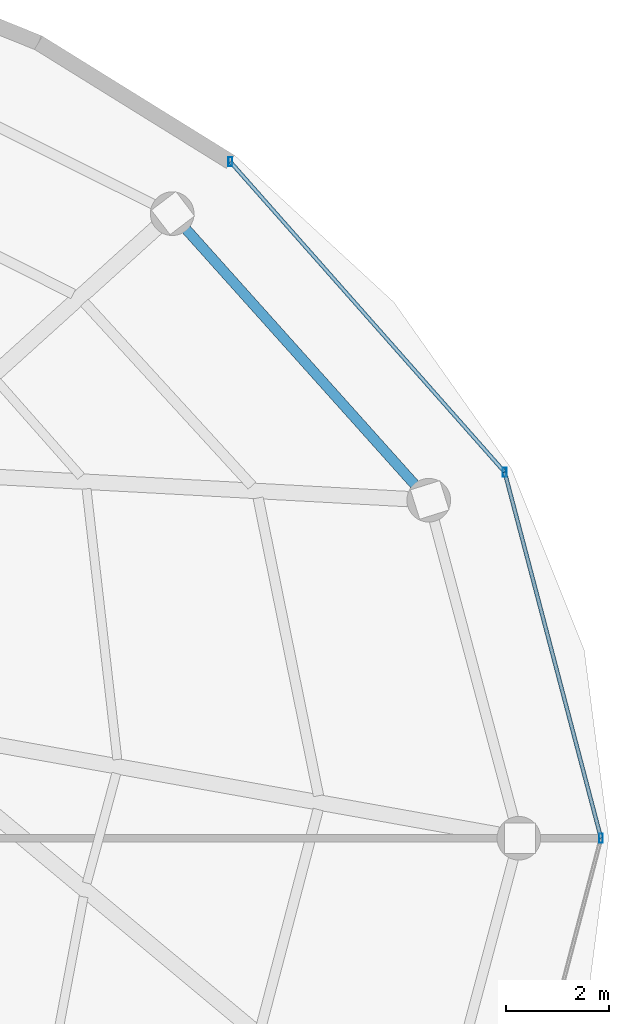
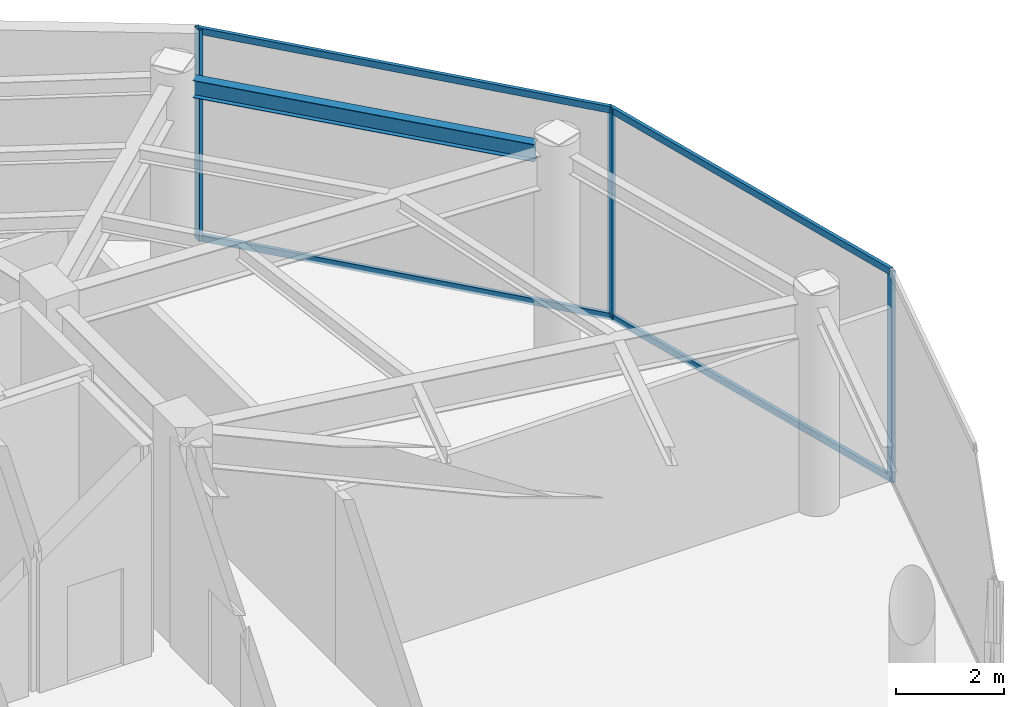
# One storey, part 15 of 24: 7 members, 1 beam, 1 element without a shape of its own.
"""IFC4 building model written with IfcOpenShell, lengths in metres."""

from ifc_helpers import new_model, si_unit, direction, frame, origin, origin_2d, place, context, subcontext, project, spatial, hollow_rectangle, i_section, extrude, material, material_profile, profile_set, type_object, element, aggregate, save


model = new_model("IFC4")

# Units and contexts
model_context = context("Model", 3, precision=1e-05, world=origin(), true_north=direction((0.0, 1.0)))
body_context = subcontext(model_context, "Body", "Model", "MODEL_VIEW")
ifc_project = project(units=[si_unit("LENGTHUNIT", "METRE"), si_unit("AREAUNIT", "SQUARE_METRE"), si_unit("VOLUMEUNIT", "CUBIC_METRE"), si_unit("PLANEANGLEUNIT", "RADIAN"), si_unit("MASSUNIT", "GRAM", prefix="KILO")], contexts=[model_context])

# Site, building, storey
site_placement = place(None, origin())
site = spatial("IfcSite", under=ifc_project, at=site_placement, CompositionType="ELEMENT")
building_placement = place(site_placement, origin())
building = spatial("IfcBuilding", under=site, at=building_placement, Name="Vorneva Point Tower", CompositionType="ELEMENT")
storey_placement = place(building_placement, frame((0.0, 0.0, 290.39990234375)))
storey = spatial("IfcBuildingStorey", under=building, at=storey_placement, Name="L78", CompositionType="ELEMENT", Elevation=290.39990234375)

# Beam
ifc_material_1 = material(Name="Steel S355", Category="steel")
ifc_material_profile_1 = material_profile(ifc_material_1, i_section(OverallWidth=0.198974609375, OverallDepth=0.39599609375, WebThickness=0.007080078125, FlangeThickness=0.010986328125, at=origin_2d()), Name="40B1")
ifc_profile_set_1 = profile_set([ifc_material_profile_1], Name="Steel S355")
beam_type = type_object("IfcBeamType", Name="BM-SPN-40B1", PredefinedType="SPANDREL", material=ifc_profile_set_1)
beam_placement = place(storey_placement, frame((59.02197265625, 32.8876953125, 4.522216796875), z_axis=(-0.667108282638, 0.744960763554, 0.0), x_axis=(-0.744960763554, -0.667108282638, 0.0)))
element("IfcBeam", 1, at=beam_placement, inside=storey, type_object=beam_type, Name="L78 Perimeter Spandrel Ring Beam 02", PredefinedType="SPANDREL", context=body_context, shape_type="SweptSolid", body=[
    extrude(i_section(OverallWidth=0.198974609375, OverallDepth=0.39599609375, WebThickness=0.007080078125, FlangeThickness=0.010986328125, at=origin_2d()), origin(), (0.0, 0.0, 1.0), 6.670166015625),
])

# Curtain wall, members
ifc_material_2 = material(Name="Pale anodised aluminium", Category="aluminium")
curtain_wall_type = type_object("IfcCurtainWallType", Name="CW-OBS-SYS", PredefinedType="NOTDEFINED", material=ifc_material_2)
curtain_wall_placement = place(storey_placement, origin())
curtain_wall = element("IfcCurtainWall", 2, at=curtain_wall_placement, inside=storey, type_object=curtain_wall_type, Name="L78 Unitised Curtain Wall CW-L78-R01", PredefinedType="NOTDEFINED")
ifc_material_profile_2 = material_profile(ifc_material_2, hollow_rectangle(XDim=0.074951171875, YDim=0.179931640625, WallThickness=0.00390625, at=origin_2d()), Name="AL-MUL 180x75x4")
ifc_profile_set_2 = profile_set([ifc_material_profile_2], Name="Pale anodised aluminium")
member_type_1 = type_object("IfcMemberType", Name="CW-MUL-180", PredefinedType="MULLION", material=ifc_profile_set_2)
member_1_placement = place(storey_placement, frame((62.64990234375, 26.0, -0.039794921875), z_axis=(0.0, 0.0, 1.0), x_axis=(1.0, 0.0, 0.0)))
member_1 = element("IfcMember", 3, at=member_1_placement, type_object=member_type_1, Name="CW-L78-R01 Mullion 02", PredefinedType="MULLION", context=body_context, shape_type="SweptSolid", body=[
    extrude(hollow_rectangle(XDim=0.074951171875, YDim=0.179931640625, WallThickness=0.00390625, at=origin_2d()), origin(), (0.0, 0.0, 1.0), 4.789794921875),
])
member_2_placement = place(storey_placement, frame((60.773681640625, 33.12939453125, -0.039794921875), z_axis=(0.0, 0.0, 1.0), x_axis=(1.0, 0.0, 0.0)))
member_2 = element("IfcMember", 4, at=member_2_placement, type_object=member_type_1, Name="CW-L78-R01 Mullion 03", PredefinedType="MULLION", context=body_context, shape_type="SweptSolid", body=[
    extrude(hollow_rectangle(XDim=0.074951171875, YDim=0.179931640625, WallThickness=0.00390625, at=origin_2d()), origin(), (0.0, 0.0, 1.0), 4.789794921875),
])
member_3_placement = place(storey_placement, frame((55.43017578125, 39.17333984375, -0.039794921875), z_axis=(0.0, 0.0, 1.0), x_axis=(1.0, 0.0, 0.0)))
member_3 = element("IfcMember", 5, at=member_3_placement, type_object=member_type_1, Name="CW-L78-R01 Mullion 04", PredefinedType="MULLION", context=body_context, shape_type="SweptSolid", body=[
    extrude(hollow_rectangle(XDim=0.074951171875, YDim=0.179931640625, WallThickness=0.00390625, at=origin_2d()), origin(), (0.0, 0.0, 1.0), 4.789794921875),
])
ifc_material_profile_3 = material_profile(ifc_material_2, hollow_rectangle(XDim=0.074951171875, YDim=0.14990234375, WallThickness=0.00390625, at=origin_2d()), Name="AL-TRN 150x75x4")
ifc_profile_set_3 = profile_set([ifc_material_profile_3], Name="Pale anodised aluminium")
member_type_2 = type_object("IfcMemberType", Name="CW-TRN-150", PredefinedType="USERDEFINED", material=ifc_profile_set_3)
member_4_placement = place(storey_placement, frame((62.64990234375, 26.0, 0.02001953125), z_axis=(-0.254501449741, 0.967072392368, 0.0), x_axis=(-0.967072392368, -0.254501449741, 0.0)))
member_4 = element("IfcMember", 6, at=member_4_placement, type_object=member_type_2, Name="CW-L78-R01 Transom 02.1", ObjectType="TRANSOM", PredefinedType="USERDEFINED", context=body_context, shape_type="SweptSolid", body=[
    extrude(hollow_rectangle(XDim=0.074951171875, YDim=0.14990234375, WallThickness=0.00390625, at=origin_2d()), origin(), (0.0, 0.0, 1.0), 7.3720703125),
])
member_5_placement = place(storey_placement, frame((62.64990234375, 26.0, 4.7001953125), z_axis=(-0.254501449741, 0.967072392368, 0.0), x_axis=(-0.967072392368, -0.254501449741, 0.0)))
member_5 = element("IfcMember", 7, at=member_5_placement, type_object=member_type_2, Name="CW-L78-R01 Transom 02.2", ObjectType="TRANSOM", PredefinedType="USERDEFINED", context=body_context, shape_type="SweptSolid", body=[
    extrude(hollow_rectangle(XDim=0.074951171875, YDim=0.14990234375, WallThickness=0.00390625, at=origin_2d()), origin(), (0.0, 0.0, 1.0), 7.3720703125),
])
member_6_placement = place(storey_placement, frame((60.773681640625, 33.12939453125, 0.02001953125), z_axis=(-0.66236098645, 0.749184839428, 0.0), x_axis=(-0.749184839428, -0.66236098645, 0.0)))
member_6 = element("IfcMember", 8, at=member_6_placement, type_object=member_type_2, Name="CW-L78-R01 Transom 03.1", ObjectType="TRANSOM", PredefinedType="USERDEFINED", context=body_context, shape_type="SweptSolid", body=[
    extrude(hollow_rectangle(XDim=0.074951171875, YDim=0.14990234375, WallThickness=0.00390625, at=origin_2d()), origin(), (0.0, 0.0, 1.0), 8.0673828125),
])
member_7_placement = place(storey_placement, frame((60.773681640625, 33.12939453125, 4.7001953125), z_axis=(-0.66236098645, 0.749184839428, 0.0), x_axis=(-0.749184839428, -0.66236098645, 0.0)))
member_7 = element("IfcMember", 9, at=member_7_placement, type_object=member_type_2, Name="CW-L78-R01 Transom 03.2", ObjectType="TRANSOM", PredefinedType="USERDEFINED", context=body_context, shape_type="SweptSolid", body=[
    extrude(hollow_rectangle(XDim=0.074951171875, YDim=0.14990234375, WallThickness=0.00390625, at=origin_2d()), origin(), (0.0, 0.0, 1.0), 8.0673828125),
])
aggregate(curtain_wall, [member_1, member_2, member_3, member_4, member_5, member_6, member_7])

save(model, "model.ifc")
